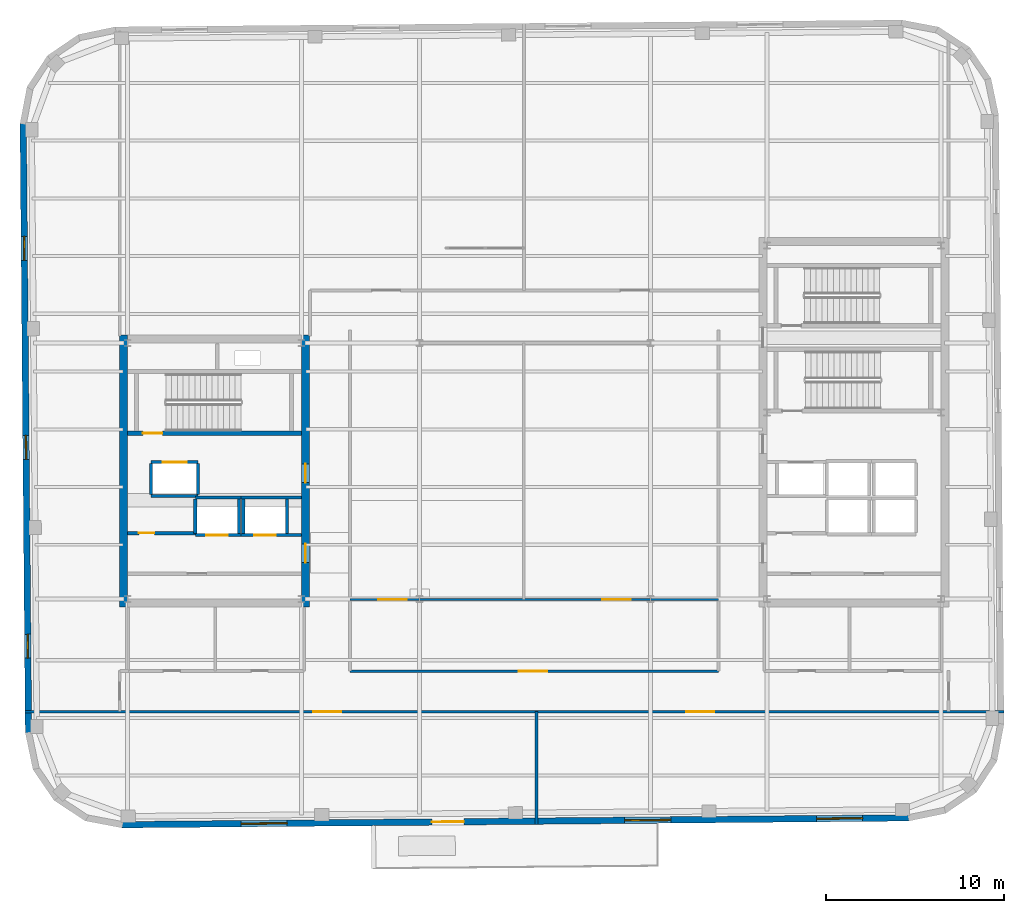
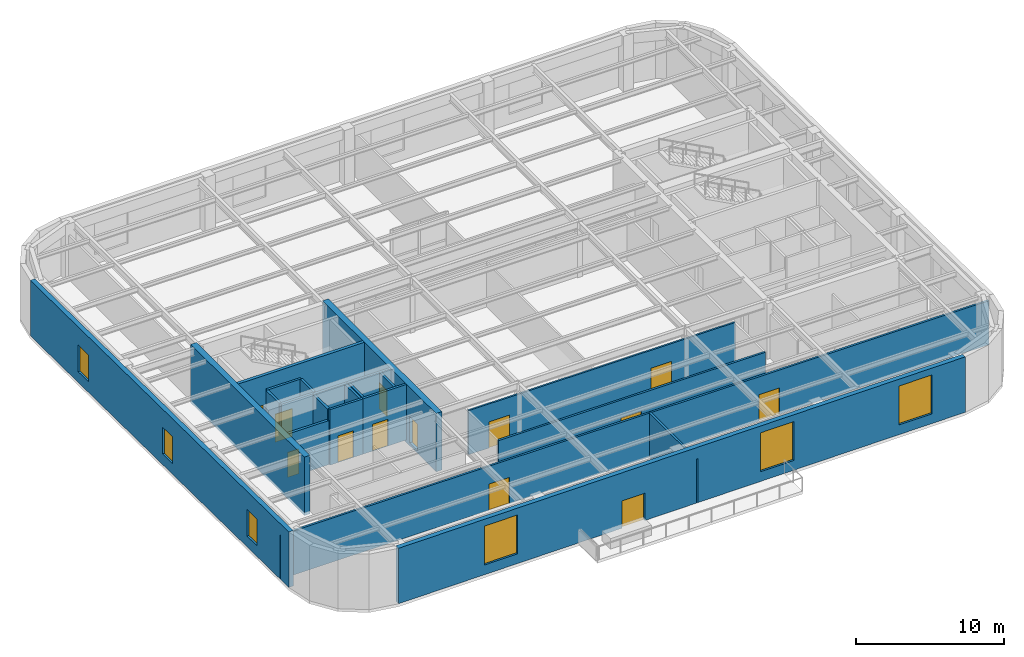
# One storey, part 8 of 13: 22 walls, 13 doors, 6 windows, 19 openings.
"""IFC4 building model written with IfcOpenShell, lengths in metres."""

from ifc_helpers import new_model, si_unit, direction, frame, frame_2d, origin, place, context, subcontext, project, spatial, rectangle, extrude, material, layer, layer_set, type_object, element, fill, save


model = new_model("IFC4")

# Units and contexts
model_context = context("Model", 3, precision=1e-05, world=origin(), true_north=direction((0.0, 1.0)))
body_context = subcontext(model_context, "Body", "Model", "MODEL_VIEW")
ifc_project = project(units=[si_unit("LENGTHUNIT", "METRE"), si_unit("AREAUNIT", "SQUARE_METRE"), si_unit("VOLUMEUNIT", "CUBIC_METRE"), si_unit("PLANEANGLEUNIT", "RADIAN"), si_unit("MASSUNIT", "GRAM", prefix="KILO")], contexts=[model_context])

# Site, building, storey
site_placement = place(None, origin())
site = spatial("IfcSite", under=ifc_project, at=site_placement, CompositionType="ELEMENT")
building_placement = place(site_placement, origin())
building = spatial("IfcBuilding", under=site, at=building_placement, Name="Kolvaren Arena Tower", CompositionType="ELEMENT")
storey_placement = place(building_placement, frame((0.0, 0.0, 312.39990234375)))
storey = spatial("IfcBuildingStorey", under=building, at=storey_placement, Name="L77", CompositionType="ELEMENT", Elevation=312.39990234375)

# Wall, opening, door
ifc_material_1 = material(Name="Gypsum board acoustic assembly", Category="gypsum")
ifc_layer_1 = layer(ifc_material_1, 0.159912109375)
ifc_layer_set_1 = layer_set([ifc_layer_1], Name="Gypsum board acoustic assembly")
wall_type_1 = type_object("IfcWallType", Name="CORR-160", PredefinedType="PARTITIONING", material=ifc_layer_set_1)
wall_1_placement = place(storey_placement, frame((27.080078125, 15.3798828125, 0.0), z_axis=(0.0, 0.0, 1.0), x_axis=(1.0, 0.0, 0.0)))
wall_1 = element("IfcWall", 1, at=wall_1_placement, inside=storey, type_object=wall_type_1, Name="Interior Partition Wall (L77)", PredefinedType="PARTITIONING", context=body_context, shape_type="SweptSolid", body=[
    extrude(rectangle(XDim=20.739990234375, YDim=0.159912109375, at=frame_2d((10.3701171875, 0.0))), origin(), (0.0, 0.0, 1.0), 3.6201171875),
])
opening_1_placement = place(wall_1_placement, frame((9.5, 0.0, 0.0)))
opening_1 = element("IfcOpeningElement", 2, at=opening_1_placement, cuts=wall_1, Name="Opening D06", PredefinedType="OPENING", context=body_context, shape_type="SweptSolid", body=[
    extrude(rectangle(XDim=1.60009765625, YDim=2.14990234375, at=frame_2d((0.800048828125, 1.074951171875))), frame((0.0, 0.08984375, 0.0), z_axis=(0.0, -1.0, 0.0), x_axis=(1.0, 0.0, 0.0)), (0.0, 0.0, 1.0), 0.179931640625),
])
ifc_material_2 = material(Name="Glazed acoustic boardroom double door", Category="aluminium")
door_type_1 = type_object("IfcDoorType", Name="DOOR-MT-160", OperationType="DOUBLE_DOOR_SINGLE_SWING", PredefinedType="DOOR", material=ifc_material_2)
door_1_placement = place(opening_1_placement, origin())
door_1 = element("IfcDoor", 3, at=door_1_placement, inside=storey, type_object=door_type_1, Name="South Viewing Lounge Door (L77)", OperationType="DOUBLE_DOOR_SINGLE_SWING", OverallHeight=2.14990234375, OverallWidth=1.60009765625, PredefinedType="DOOR", context=body_context, shape_type="SweptSolid", body=[
    extrude(rectangle(XDim=1.60009765625, YDim=2.14990234375, at=frame_2d((0.800048828125, 1.074951171875))), frame((0.0, 0.02490234375, 0.0), z_axis=(0.0, -1.0, 0.0), x_axis=(1.0, 0.0, 0.0)), (0.0, 0.0, 1.0), 0.050048828125),
])
fill(opening_1, door_1)

# Wall, openings, doors
wall_2_placement = place(storey_placement, frame((8.790283203125, 13.10009765625, 0.0), z_axis=(0.0, 0.0, 1.0), x_axis=(1.0, 0.0, 0.0)))
wall_2 = element("IfcWall", 4, at=wall_2_placement, inside=storey, type_object=wall_type_1, Name="Interior Partition Wall (L77)", PredefinedType="PARTITIONING", context=body_context, shape_type="SweptSolid", body=[
    extrude(rectangle(XDim=55.10205078125, YDim=0.159912109375, at=frame_2d((27.551025390625, 0.0))), origin(), (0.0, 0.0, 1.0), 3.6201171875),
])
opening_2_placement = place(wall_2_placement, frame((16.209716796875, 0.0, 0.0)))
opening_2 = element("IfcOpeningElement", 5, at=opening_2_placement, cuts=wall_2, Name="Opening D06", PredefinedType="OPENING", context=body_context, shape_type="SweptSolid", body=[
    extrude(rectangle(XDim=1.60009765625, YDim=2.14990234375, at=frame_2d((0.800048828125, 1.074951171875))), frame((0.0, 0.08984375, 0.0), z_axis=(0.0, -1.0, 0.0), x_axis=(1.0, 0.0, 0.0)), (0.0, 0.0, 1.0), 0.179931640625),
])
opening_3_placement = place(wall_2_placement, frame((37.209716796875, 0.0, 0.0)))
opening_3 = element("IfcOpeningElement", 6, at=opening_3_placement, cuts=wall_2, Name="Opening D06", PredefinedType="OPENING", context=body_context, shape_type="SweptSolid", body=[
    extrude(rectangle(XDim=1.60009765625, YDim=2.14990234375, at=frame_2d((0.800048828125, 1.074951171875))), frame((0.0, 0.08984375, 0.0), z_axis=(0.0, -1.0, 0.0), x_axis=(1.0, 0.0, 0.0)), (0.0, 0.0, 1.0), 0.179931640625),
])
door_2_placement = place(opening_2_placement, origin())
door_2 = element("IfcDoor", 7, at=door_2_placement, inside=storey, type_object=door_type_1, Name="South Salon Door (L77)", OperationType="DOUBLE_DOOR_SINGLE_SWING", OverallHeight=2.14990234375, OverallWidth=1.60009765625, PredefinedType="DOOR", context=body_context, shape_type="SweptSolid", body=[
    extrude(rectangle(XDim=1.60009765625, YDim=2.14990234375, at=frame_2d((0.800048828125, 1.074951171875))), frame((0.0, 0.02490234375, 0.0), z_axis=(0.0, -1.0, 0.0), x_axis=(1.0, 0.0, 0.0)), (0.0, 0.0, 1.0), 0.050048828125),
])
fill(opening_2, door_2)
door_3_placement = place(opening_3_placement, origin())
door_3 = element("IfcDoor", 8, at=door_3_placement, inside=storey, type_object=door_type_1, Name="Horizon Salon Door (L77)", OperationType="DOUBLE_DOOR_SINGLE_SWING", OverallHeight=2.14990234375, OverallWidth=1.60009765625, PredefinedType="DOOR", context=body_context, shape_type="SweptSolid", body=[
    extrude(rectangle(XDim=1.60009765625, YDim=2.14990234375, at=frame_2d((0.800048828125, 1.074951171875))), frame((0.0, 0.02490234375, 0.0), z_axis=(0.0, -1.0, 0.0), x_axis=(1.0, 0.0, 0.0)), (0.0, 0.0, 1.0), 0.050048828125),
])
fill(opening_3, door_3)

# Walls
wall_3_placement = place(storey_placement, frame((37.570068359375, 6.760986328125, 0.0), z_axis=(0.0, 0.0, 1.0), x_axis=(0.0, 1.0, 0.0)))
element("IfcWall", 9, at=wall_3_placement, inside=storey, type_object=wall_type_1, Name="Interior Partition Wall (L77)", PredefinedType="PARTITIONING", context=body_context, shape_type="SweptSolid", body=[
    extrude(rectangle(XDim=6.339111328125, YDim=0.159912109375, at=frame_2d((3.16943359375, 0.0))), origin(), (0.0, 0.0, 1.0), 3.6201171875),
])
ifc_material_3 = material(Name="Concrete 55 MPa", Category="concrete")
ifc_layer_2 = layer(ifc_material_3, 0.449951171875)
ifc_layer_set_2 = layer_set([ifc_layer_2], Name="Concrete 55 MPa")
wall_type_2 = type_object("IfcWallType", Name="CWALL-450", PredefinedType="SHEAR", material=ifc_layer_set_2)
wall_4_placement = place(storey_placement, frame((14.324951171875, 19.0, -0.239990234375), z_axis=(0.0, 0.0, 1.0), x_axis=(0.0, 1.0, 0.0)))
element("IfcWall", 10, at=wall_4_placement, inside=storey, type_object=wall_type_2, Name="Core Shear Wall WC-WEST (L77)", PredefinedType="SHEAR", context=body_context, shape_type="SweptSolid", body=[
    extrude(rectangle(XDim=15.300048828125, YDim=0.449951171875, at=frame_2d((7.64990234375, 0.0))), origin(), (0.0, 0.0, 1.0), 4.800048828125),
])

# Wall, openings, doors
wall_5_placement = place(storey_placement, frame((24.574951171875, 19.0, -0.239990234375), z_axis=(0.0, 0.0, 1.0), x_axis=(0.0, 1.0, 0.0)))
wall_5 = element("IfcWall", 11, at=wall_5_placement, inside=storey, type_object=wall_type_2, Name="Core Shear Wall WC-EAST (L77)", PredefinedType="SHEAR", context=body_context, shape_type="SweptSolid", body=[
    extrude(rectangle(XDim=15.300048828125, YDim=0.449951171875, at=frame_2d((7.64990234375, 0.0))), origin(), (0.0, 0.0, 1.0), 4.800048828125),
])
opening_4_placement = place(wall_5_placement, frame((2.5, 0.0, 0.239990234375)))
opening_4 = element("IfcOpeningElement", 12, at=opening_4_placement, cuts=wall_5, Name="Opening D04", PredefinedType="OPENING", context=body_context, shape_type="SweptSolid", body=[
    extrude(rectangle(XDim=1.050048828125, YDim=2.14990234375, at=frame_2d((0.52490234375, 1.074951171875))), frame((0.0, 0.23486328125, 0.0), z_axis=(0.0, -1.0, 0.0), x_axis=(1.0, 0.0, 0.0)), (0.0, 0.0, 1.0), 0.469970703125),
])
opening_5_placement = place(wall_5_placement, frame((7.0, 0.0, 0.239990234375)))
opening_5 = element("IfcOpeningElement", 13, at=opening_5_placement, cuts=wall_5, Name="Opening D04", PredefinedType="OPENING", context=body_context, shape_type="SweptSolid", body=[
    extrude(rectangle(XDim=1.050048828125, YDim=2.14990234375, at=frame_2d((0.52490234375, 1.074951171875))), frame((0.0, 0.23486328125, 0.0), z_axis=(0.0, -1.0, 0.0), x_axis=(1.0, 0.0, 0.0)), (0.0, 0.0, 1.0), 0.469970703125),
])
ifc_material_4 = material(Name="Fire-rated steel lobby door", Category="steel")
door_type_2 = type_object("IfcDoorType", Name="DOOR-FF-105", OperationType="NOTDEFINED", PredefinedType="DOOR", material=ifc_material_4)
door_4_placement = place(opening_4_placement, origin())
door_4 = element("IfcDoor", 14, at=door_4_placement, inside=storey, type_object=door_type_2, Name="West Lift Lobby Fire Door (L77)", OperationType="SINGLE_SWING_LEFT", OverallHeight=2.14990234375, OverallWidth=1.050048828125, PredefinedType="DOOR", context=body_context, shape_type="SweptSolid", body=[
    extrude(rectangle(XDim=1.050048828125, YDim=2.14990234375, at=frame_2d((0.52490234375, 1.074951171875))), frame((0.0, 0.02490234375, 0.0), z_axis=(0.0, -1.0, 0.0), x_axis=(1.0, 0.0, 0.0)), (0.0, 0.0, 1.0), 0.050048828125),
])
fill(opening_4, door_4)
door_5_placement = place(opening_5_placement, origin())
door_5 = element("IfcDoor", 15, at=door_5_placement, inside=storey, type_object=door_type_2, Name="West Firefighter Vestibule Door (L77)", OperationType="SINGLE_SWING_RIGHT", OverallHeight=2.14990234375, OverallWidth=1.050048828125, PredefinedType="DOOR", context=body_context, shape_type="SweptSolid", body=[
    extrude(rectangle(XDim=1.050048828125, YDim=2.14990234375, at=frame_2d((0.52490234375, 1.074951171875))), frame((0.0, 0.02490234375, 0.0), z_axis=(0.0, -1.0, 0.0), x_axis=(1.0, 0.0, 0.0)), (0.0, 0.0, 1.0), 0.050048828125),
])
fill(opening_5, door_5)

# Wall, openings, windows
ifc_material_5 = material(Name="Precast concrete C50/60", Category="concrete")
ifc_layer_3 = layer(ifc_material_5, 0.360107421875)
ifc_layer_set_3 = layer_set([ifc_layer_3], Name="Precast concrete C50/60")
wall_type_3 = type_object("IfcWallType", Name="EXT-PIER2", PredefinedType="SOLIDWALL", material=ifc_layer_set_3)
wall_6_placement = place(storey_placement, frame((8.980712890625, 11.911865234375, 0.0), z_axis=(0.0, 0.0, 1.0), x_axis=(-0.008726453825, 0.999961923777, 0.0)))
wall_6 = element("IfcWall", 16, at=wall_6_placement, inside=storey, type_object=wall_type_3, Name="Exterior Precast Masonry-Frame Wall (L77)", PredefinedType="SOLIDWALL", context=body_context, shape_type="SweptSolid", body=[
    extrude(rectangle(XDim=34.2998046875, YDim=0.360107421875, at=frame_2d((17.14990234375, 0.0))), origin(), (0.0, 0.0, 1.0), 4.56005859375),
])
opening_6_placement = place(wall_6_placement, frame((4.199951171875, 0.0, 0.8798828125)))
opening_6 = element("IfcOpeningElement", 17, at=opening_6_placement, cuts=wall_6, Name="Opening W04", PredefinedType="OPENING", context=body_context, shape_type="SweptSolid", body=[
    extrude(rectangle(XDim=1.35009765625, YDim=2.199951171875, at=frame_2d((0.675048828125, 1.10009765625))), frame((0.0, 0.18994140625, 0.0), z_axis=(0.0, -1.0, 0.0), x_axis=(1.0, 0.0, 0.0)), (0.0, 0.0, 1.0), 0.380126953125),
])
opening_7_placement = place(wall_6_placement, frame((15.39990234375, 0.0, 0.8798828125)))
opening_7 = element("IfcOpeningElement", 18, at=opening_7_placement, cuts=wall_6, Name="Opening W04", PredefinedType="OPENING", context=body_context, shape_type="SweptSolid", body=[
    extrude(rectangle(XDim=1.35009765625, YDim=2.199951171875, at=frame_2d((0.675048828125, 1.10009765625))), frame((0.0, 0.18994140625, 0.0), z_axis=(0.0, -1.0, 0.0), x_axis=(1.0, 0.0, 0.0)), (0.0, 0.0, 1.0), 0.380126953125),
])
opening_8_placement = place(wall_6_placement, frame((26.60009765625, 0.0, 0.8798828125)))
opening_8 = element("IfcOpeningElement", 19, at=opening_8_placement, cuts=wall_6, Name="Opening W04", PredefinedType="OPENING", context=body_context, shape_type="SweptSolid", body=[
    extrude(rectangle(XDim=1.35009765625, YDim=2.199951171875, at=frame_2d((0.675048828125, 1.10009765625))), frame((0.0, 0.18994140625, 0.0), z_axis=(0.0, -1.0, 0.0), x_axis=(1.0, 0.0, 0.0)), (0.0, 0.0, 1.0), 0.380126953125),
])
ifc_material_6 = material(Name="Triple-glazed curved-facet corner window", Category="glass")
window_type_1 = type_object("IfcWindowType", Name="WIN-CRN-A", PartitioningType="SINGLE_PANEL", PredefinedType="WINDOW", material=ifc_material_6)
window_1_placement = place(opening_6_placement, origin())
window_1 = element("IfcWindow", 20, at=window_1_placement, inside=storey, type_object=window_type_1, Name="End-Wall Punched Window (L77)", OverallHeight=2.199951171875, OverallWidth=1.35009765625, PartitioningType="SINGLE_PANEL", PredefinedType="WINDOW", context=body_context, shape_type="SweptSolid", body=[
    extrude(rectangle(XDim=1.35009765625, YDim=2.199951171875, at=frame_2d((0.675048828125, 1.10009765625))), frame((0.0, 0.030029296875, 0.0), z_axis=(0.0, -1.0, 0.0), x_axis=(1.0, 0.0, 0.0)), (0.0, 0.0, 1.0), 0.06005859375),
])
fill(opening_6, window_1)
window_2_placement = place(opening_7_placement, origin())
window_2 = element("IfcWindow", 21, at=window_2_placement, inside=storey, type_object=window_type_1, Name="End-Wall Punched Window (L77)", OverallHeight=2.199951171875, OverallWidth=1.35009765625, PartitioningType="SINGLE_PANEL", PredefinedType="WINDOW", context=body_context, shape_type="SweptSolid", body=[
    extrude(rectangle(XDim=1.35009765625, YDim=2.199951171875, at=frame_2d((0.675048828125, 1.10009765625))), frame((0.0, 0.030029296875, 0.0), z_axis=(0.0, -1.0, 0.0), x_axis=(1.0, 0.0, 0.0)), (0.0, 0.0, 1.0), 0.06005859375),
])
fill(opening_7, window_2)
window_3_placement = place(opening_8_placement, origin())
window_3 = element("IfcWindow", 22, at=window_3_placement, inside=storey, type_object=window_type_1, Name="End-Wall Punched Window (L77)", OverallHeight=2.199951171875, OverallWidth=1.35009765625, PartitioningType="SINGLE_PANEL", PredefinedType="WINDOW", context=body_context, shape_type="SweptSolid", body=[
    extrude(rectangle(XDim=1.35009765625, YDim=2.199951171875, at=frame_2d((0.675048828125, 1.10009765625))), frame((0.0, 0.030029296875, 0.0), z_axis=(0.0, -1.0, 0.0), x_axis=(1.0, 0.0, 0.0)), (0.0, 0.0, 1.0), 0.06005859375),
])
fill(opening_8, window_3)

# Wall, openings, door, windows
wall_7_placement = place(storey_placement, frame((58.544189453125, 7.124267578125, 0.0), z_axis=(0.0, 0.0, 1.0), x_axis=(-0.999961896442, -0.008729585516, 0.0)))
wall_7 = element("IfcWall", 23, at=wall_7_placement, inside=storey, type_object=wall_type_3, Name="Exterior Precast Masonry-Frame Wall (L77)", PredefinedType="SOLIDWALL", context=body_context, shape_type="SweptSolid", body=[
    extrude(rectangle(XDim=44.2998046875, YDim=0.360107421875, at=frame_2d((22.14990234375, 0.0))), origin(), (0.0, 0.0, 1.0), 4.56005859375),
])
opening_9_placement = place(wall_7_placement, frame((25.050048828125, 0.0, 0.0)))
opening_9 = element("IfcOpeningElement", 24, at=opening_9_placement, cuts=wall_7, Name="Opening D10", PredefinedType="OPENING", context=body_context, shape_type="SweptSolid", body=[
    extrude(rectangle(XDim=1.800048828125, YDim=2.25, at=frame_2d((0.89990234375, 1.125))), frame((0.0, 0.18994140625, 0.0), z_axis=(0.0, -1.0, 0.0), x_axis=(1.0, 0.0, 0.0)), (0.0, 0.0, 1.0), 0.380126953125),
])
opening_10_placement = place(wall_7_placement, frame((2.60009765625, 0.0, 0.800048828125)))
opening_10 = element("IfcOpeningElement", 25, at=opening_10_placement, cuts=wall_7, Name="Opening W06", PredefinedType="OPENING", context=body_context, shape_type="SweptSolid", body=[
    extrude(rectangle(XDim=2.60009765625, YDim=3.199951171875, at=frame_2d((1.300048828125, 1.60009765625))), frame((0.0, 0.18994140625, 0.0), z_axis=(0.0, -1.0, 0.0), x_axis=(1.0, 0.0, 0.0)), (0.0, 0.0, 1.0), 0.380126953125),
])
opening_11_placement = place(wall_7_placement, frame((13.39990234375, 0.0, 0.800048828125)))
opening_11 = element("IfcOpeningElement", 26, at=opening_11_placement, cuts=wall_7, Name="Opening W06", PredefinedType="OPENING", context=body_context, shape_type="SweptSolid", body=[
    extrude(rectangle(XDim=2.60009765625, YDim=3.199951171875, at=frame_2d((1.300048828125, 1.60009765625))), frame((0.0, 0.18994140625, 0.0), z_axis=(0.0, -1.0, 0.0), x_axis=(1.0, 0.0, 0.0)), (0.0, 0.0, 1.0), 0.380126953125),
])
opening_12_placement = place(wall_7_placement, frame((35.0, 0.0, 0.800048828125)))
opening_12 = element("IfcOpeningElement", 27, at=opening_12_placement, cuts=wall_7, Name="Opening W06", PredefinedType="OPENING", context=body_context, shape_type="SweptSolid", body=[
    extrude(rectangle(XDim=2.60009765625, YDim=3.199951171875, at=frame_2d((1.300048828125, 1.60009765625))), frame((0.0, 0.18994140625, 0.0), z_axis=(0.0, -1.0, 0.0), x_axis=(1.0, 0.0, 0.0)), (0.0, 0.0, 1.0), 0.380126953125),
])
ifc_material_7 = material(Name="Thermally broken glazed terrace door", Category="aluminium")
door_type_3 = type_object("IfcDoorType", Name="DOOR-TR-180", OperationType="DOUBLE_DOOR_SINGLE_SWING", PredefinedType="DOOR", material=ifc_material_7)
door_6_placement = place(opening_9_placement, origin())
door_6 = element("IfcDoor", 28, at=door_6_placement, inside=storey, type_object=door_type_3, Name="Setback Roof Terrace Access Door (L77)", OperationType="DOUBLE_DOOR_SINGLE_SWING", OverallHeight=2.25, OverallWidth=1.800048828125, PredefinedType="DOOR", context=body_context, shape_type="SweptSolid", body=[
    extrude(rectangle(XDim=1.800048828125, YDim=2.25, at=frame_2d((0.89990234375, 1.125))), frame((0.0, 0.02490234375, 0.0), z_axis=(0.0, -1.0, 0.0), x_axis=(1.0, 0.0, 0.0)), (0.0, 0.0, 1.0), 0.050048828125),
])
fill(opening_9, door_6)
ifc_material_8 = material(Name="Triple-glazed observatory picture window", Category="glass")
window_type_2 = type_object("IfcWindowType", Name="WIN-OBS-A", PartitioningType="DOUBLE_PANEL_VERTICAL", PredefinedType="WINDOW", material=ifc_material_8)
window_4_placement = place(opening_10_placement, origin())
window_4 = element("IfcWindow", 29, at=window_4_placement, inside=storey, type_object=window_type_2, Name="Punched Precast-Pier Window (L77)", OverallHeight=3.199951171875, OverallWidth=2.60009765625, PartitioningType="DOUBLE_PANEL_VERTICAL", PredefinedType="WINDOW", context=body_context, shape_type="SweptSolid", body=[
    extrude(rectangle(XDim=2.60009765625, YDim=3.199951171875, at=frame_2d((1.300048828125, 1.60009765625))), frame((0.0, 0.030029296875, 0.0), z_axis=(0.0, -1.0, 0.0), x_axis=(1.0, 0.0, 0.0)), (0.0, 0.0, 1.0), 0.06005859375),
])
fill(opening_10, window_4)
window_5_placement = place(opening_11_placement, origin())
window_5 = element("IfcWindow", 30, at=window_5_placement, inside=storey, type_object=window_type_2, Name="Punched Precast-Pier Window (L77)", OverallHeight=3.199951171875, OverallWidth=2.60009765625, PartitioningType="DOUBLE_PANEL_VERTICAL", PredefinedType="WINDOW", context=body_context, shape_type="SweptSolid", body=[
    extrude(rectangle(XDim=2.60009765625, YDim=3.199951171875, at=frame_2d((1.300048828125, 1.60009765625))), frame((0.0, 0.030029296875, 0.0), z_axis=(0.0, -1.0, 0.0), x_axis=(1.0, 0.0, 0.0)), (0.0, 0.0, 1.0), 0.06005859375),
])
fill(opening_11, window_5)
window_6_placement = place(opening_12_placement, origin())
window_6 = element("IfcWindow", 31, at=window_6_placement, inside=storey, type_object=window_type_2, Name="Punched Precast-Pier Window (L77)", OverallHeight=3.199951171875, OverallWidth=2.60009765625, PartitioningType="DOUBLE_PANEL_VERTICAL", PredefinedType="WINDOW", context=body_context, shape_type="SweptSolid", body=[
    extrude(rectangle(XDim=2.60009765625, YDim=3.199951171875, at=frame_2d((1.300048828125, 1.60009765625))), frame((0.0, 0.030029296875, 0.0), z_axis=(0.0, -1.0, 0.0), x_axis=(1.0, 0.0, 0.0)), (0.0, 0.0, 1.0), 0.06005859375),
])
fill(opening_12, window_6)

# Wall, opening, door
ifc_material_9 = material(Name="Concrete 40 MPa", Category="concrete")
ifc_layer_4 = layer(ifc_material_9, 0.199951171875)
ifc_layer_set_4 = layer_set([ifc_layer_4], Name="Concrete 40 MPa")
wall_type_4 = type_object("IfcWallType", Name="LOBBY-200", PredefinedType="SOLIDWALL", material=ifc_layer_set_4)
wall_8_placement = place(storey_placement, frame((14.550048828125, 23.159912109375, 0.0), z_axis=(0.0, 0.0, 1.0), x_axis=(1.0, 0.0, 0.0)))
wall_8 = element("IfcWall", 32, at=wall_8_placement, inside=storey, type_object=wall_type_4, Name="Core Shaft Wall (L77)", PredefinedType="SOLIDWALL", context=body_context, shape_type="SweptSolid", body=[
    extrude(rectangle(XDim=3.820068359375, YDim=0.199951171875, at=frame_2d((1.91015625, 0.0))), origin(), (0.0, 0.0, 1.0), 3.6201171875),
])
opening_13_placement = place(wall_8_placement, frame((0.64990234375, 0.0, 0.0)))
opening_13 = element("IfcOpeningElement", 33, at=opening_13_placement, cuts=wall_8, Name="Opening D09", PredefinedType="OPENING", context=body_context, shape_type="SweptSolid", body=[
    extrude(rectangle(XDim=0.860107421875, YDim=2.050048828125, at=frame_2d((0.43017578125, 1.02490234375))), frame((0.0, 0.10986328125, 0.0), z_axis=(0.0, -1.0, 0.0), x_axis=(1.0, 0.0, 0.0)), (0.0, 0.0, 1.0), 0.219970703125),
])
ifc_material_10 = material(Name="Fire-rated steel riser access door", Category="steel")
door_type_4 = type_object("IfcDoorType", Name="DOOR-RS-086", OperationType="NOTDEFINED", PredefinedType="DOOR", material=ifc_material_10)
door_7_placement = place(opening_13_placement, origin())
door_7 = element("IfcDoor", 34, at=door_7_placement, inside=storey, type_object=door_type_4, Name="West Document Archive Riser Door (L77)", OperationType="SINGLE_SWING_RIGHT", OverallHeight=2.050048828125, OverallWidth=0.860107421875, PredefinedType="DOOR", context=body_context, shape_type="SweptSolid", body=[
    extrude(rectangle(XDim=0.860107421875, YDim=2.050048828125, at=frame_2d((0.43017578125, 1.02490234375))), frame((0.0, 0.02490234375, 0.0), z_axis=(0.0, -1.0, 0.0), x_axis=(1.0, 0.0, 0.0)), (0.0, 0.0, 1.0), 0.050048828125),
])
fill(opening_13, door_7)

# Wall, openings, doors
ifc_material_11 = material(Name="Gypsum board partition assembly", Category="gypsum")
ifc_layer_5 = layer(ifc_material_11, 0.135009765625)
ifc_layer_set_5 = layer_set([ifc_layer_5], Name="Gypsum board partition assembly")
wall_type_5 = type_object("IfcWallType", Name="PART-135", PredefinedType="PARTITIONING", material=ifc_layer_set_5)
wall_9_placement = place(storey_placement, frame((27.080078125, 19.419921875, 0.0), z_axis=(0.0, 0.0, 1.0), x_axis=(1.0, 0.0, 0.0)))
wall_9 = element("IfcWall", 35, at=wall_9_placement, inside=storey, type_object=wall_type_5, Name="Interior Partition Wall (L77)", PredefinedType="PARTITIONING", context=body_context, shape_type="SweptSolid", body=[
    extrude(rectangle(XDim=20.739990234375, YDim=0.135009765625, at=frame_2d((10.3701171875, 0.0))), origin(), (0.0, 0.0, 1.0), 3.6201171875),
])
opening_14_placement = place(wall_9_placement, frame((1.60009765625, 0.0, 0.0)))
opening_14 = element("IfcOpeningElement", 36, at=opening_14_placement, cuts=wall_9, Name="Opening D06", PredefinedType="OPENING", context=body_context, shape_type="SweptSolid", body=[
    extrude(rectangle(XDim=1.60009765625, YDim=2.14990234375, at=frame_2d((0.800048828125, 1.074951171875))), frame((0.0, 0.077392578125, 0.0), z_axis=(0.0, -1.0, 0.0), x_axis=(1.0, 0.0, 0.0)), (0.0, 0.0, 1.0), 0.155029296875),
])
opening_15_placement = place(wall_9_placement, frame((14.199951171875, 0.0, 0.0)))
opening_15 = element("IfcOpeningElement", 37, at=opening_15_placement, cuts=wall_9, Name="Opening D06", PredefinedType="OPENING", context=body_context, shape_type="SweptSolid", body=[
    extrude(rectangle(XDim=1.60009765625, YDim=2.14990234375, at=frame_2d((0.800048828125, 1.074951171875))), frame((0.0, 0.077392578125, 0.0), z_axis=(0.0, -1.0, 0.0), x_axis=(1.0, 0.0, 0.0)), (0.0, 0.0, 1.0), 0.155029296875),
])
door_8_placement = place(opening_14_placement, origin())
door_8 = element("IfcDoor", 38, at=door_8_placement, inside=storey, type_object=door_type_1, Name="Central Hall West Door (L77)", OperationType="DOUBLE_DOOR_SINGLE_SWING", OverallHeight=2.14990234375, OverallWidth=1.60009765625, PredefinedType="DOOR", context=body_context, shape_type="SweptSolid", body=[
    extrude(rectangle(XDim=1.60009765625, YDim=2.14990234375, at=frame_2d((0.800048828125, 1.074951171875))), frame((0.0, 0.02490234375, 0.0), z_axis=(0.0, -1.0, 0.0), x_axis=(1.0, 0.0, 0.0)), (0.0, 0.0, 1.0), 0.050048828125),
])
fill(opening_14, door_8)
door_9_placement = place(opening_15_placement, origin())
door_9 = element("IfcDoor", 39, at=door_9_placement, inside=storey, type_object=door_type_1, Name="Central Hall East Door (L77)", OperationType="DOUBLE_DOOR_SINGLE_SWING", OverallHeight=2.14990234375, OverallWidth=1.60009765625, PredefinedType="DOOR", context=body_context, shape_type="SweptSolid", body=[
    extrude(rectangle(XDim=1.60009765625, YDim=2.14990234375, at=frame_2d((0.800048828125, 1.074951171875))), frame((0.0, 0.02490234375, 0.0), z_axis=(0.0, -1.0, 0.0), x_axis=(1.0, 0.0, 0.0)), (0.0, 0.0, 1.0), 0.050048828125),
])
fill(opening_15, door_9)

# Wall, opening, door
ifc_material_12 = material(Name="Concrete 45 MPa", Category="concrete")
ifc_layer_6 = layer(ifc_material_12, 0.25)
ifc_layer_set_6 = layer_set([ifc_layer_6], Name="Concrete 45 MPa")
wall_type_6 = type_object("IfcWallType", Name="SHAFT-250", PredefinedType="SOLIDWALL", material=ifc_layer_set_6)
wall_10_placement = place(storey_placement, frame((24.35009765625, 28.780029296875, 0.0), z_axis=(0.0, 0.0, 1.0), x_axis=(-1.0, 0.0, 0.0)))
wall_10 = element("IfcWall", 40, at=wall_10_placement, inside=storey, type_object=wall_type_6, Name="Core Shaft Wall (L77)", PredefinedType="SOLIDWALL", context=body_context, shape_type="SweptSolid", body=[
    extrude(rectangle(XDim=9.800048828125, YDim=0.239990234375, at=frame_2d((4.89990234375, 0.0))), origin(), (0.0, 0.0, 1.0), 4.56005859375),
])
opening_16_placement = place(wall_10_placement, frame((7.830078125, 0.0, 0.0)))
opening_16 = element("IfcOpeningElement", 41, at=opening_16_placement, cuts=wall_10, Name="Opening D03", PredefinedType="OPENING", context=body_context, shape_type="SweptSolid", body=[
    extrude(rectangle(XDim=1.10009765625, YDim=2.14990234375, at=frame_2d((0.550048828125, 1.074951171875))), frame((0.0, 0.1298828125, 0.0), z_axis=(0.0, -1.0, 0.0), x_axis=(1.0, 0.0, 0.0)), (0.0, 0.0, 1.0), 0.260009765625),
])
ifc_material_13 = material(Name="Fire-rated steel exit stair door", Category="steel")
door_type_5 = type_object("IfcDoorType", Name="DOOR-ST-110", OperationType="NOTDEFINED", PredefinedType="DOOR", material=ifc_material_13)
door_10_placement = place(opening_16_placement, origin())
door_10 = element("IfcDoor", 42, at=door_10_placement, inside=storey, type_object=door_type_5, Name="Stair ST-W1 Fire Door (L77)", OperationType="SINGLE_SWING_RIGHT", OverallHeight=2.14990234375, OverallWidth=1.10009765625, PredefinedType="DOOR", context=body_context, shape_type="SweptSolid", body=[
    extrude(rectangle(XDim=1.10009765625, YDim=2.14990234375, at=frame_2d((0.550048828125, 1.074951171875))), frame((0.0, 0.02490234375, 0.0), z_axis=(0.0, -1.0, 0.0), x_axis=(1.0, 0.0, 0.0)), (0.0, 0.0, 1.0), 0.050048828125),
])
fill(opening_16, door_10)

# Wall
wall_11_placement = place(storey_placement, frame((18.3701171875, 25.155029296875, 0.0), z_axis=(0.0, 0.0, 1.0), x_axis=(1.0, 0.0, 0.0)))
element("IfcWall", 43, at=wall_11_placement, inside=storey, type_object=wall_type_6, Name="Core Shaft Wall (L77)", PredefinedType="SOLIDWALL", context=body_context, shape_type="SweptSolid", body=[
    extrude(rectangle(XDim=2.579833984375, YDim=0.179931640625, at=frame_2d((1.2900390625, 0.0))), origin(), (0.0, 0.0, 1.0), 4.56005859375),
])

# Wall, opening, door
wall_12_placement = place(storey_placement, frame((18.3701171875, 23.044921875, 0.0), z_axis=(0.0, 0.0, 1.0), x_axis=(1.0, 0.0, 0.0)))
wall_12 = element("IfcWall", 44, at=wall_12_placement, inside=storey, type_object=wall_type_6, Name="Core Shaft Wall (L77)", PredefinedType="SOLIDWALL", context=body_context, shape_type="SweptSolid", body=[
    extrude(rectangle(XDim=2.579833984375, YDim=0.179931640625, at=frame_2d((1.2900390625, 0.0))), origin(), (0.0, 0.0, 1.0), 4.56005859375),
])
opening_17_placement = place(wall_12_placement, frame((0.6298828125, 0.0, 0.0)))
opening_17 = element("IfcOpeningElement", 45, at=opening_17_placement, cuts=wall_12, Name="Opening LD1", PredefinedType="OPENING", context=body_context, shape_type="SweptSolid", body=[
    extrude(rectangle(XDim=1.199951171875, YDim=2.199951171875, at=frame_2d((0.60009765625, 1.10009765625))), frame((0.0, 0.099853515625, 0.0), z_axis=(0.0, -1.0, 0.0), x_axis=(1.0, 0.0, 0.0)), (0.0, 0.0, 1.0), 0.199951171875),
])
ifc_material_14 = material(Name="Stainless steel passenger lift landing door", Category="steel")
door_type_6 = type_object("IfcDoorType", Name="DOOR-LD-120", OperationType="DOUBLE_DOOR_SLIDING", PredefinedType="DOOR", material=ifc_material_14)
door_11_placement = place(opening_17_placement, origin())
door_11 = element("IfcDoor", 46, at=door_11_placement, inside=storey, type_object=door_type_6, Name="Lift EL-OB1 Landing Door (L77)", OperationType="DOUBLE_DOOR_SLIDING", OverallHeight=2.199951171875, OverallWidth=1.199951171875, PredefinedType="DOOR", context=body_context, shape_type="SweptSolid", body=[
    extrude(rectangle(XDim=1.199951171875, YDim=2.199951171875, at=frame_2d((0.60009765625, 1.10009765625))), frame((0.0, 0.02490234375, 0.0), z_axis=(0.0, -1.0, 0.0), x_axis=(1.0, 0.0, 0.0)), (0.0, 0.0, 1.0), 0.050048828125),
])
fill(opening_17, door_11)

# Walls
for number, where, z_axis, x_axis, name in (
    (47, (18.3701171875, 23.135009765625, 0.0), (0.0, 0.0, 1.0), (0.0, 1.0, 0.0), "Core Shaft Wall (L77)"),
    (48, (20.830078125, 23.135009765625, 0.0), (0.0, 0.0, 1.0), (0.0, 1.0, 0.0), "Core Shaft Wall (L77)"),
):
    element("IfcWall", number, at=place(storey_placement, frame(where, z_axis=z_axis, x_axis=x_axis)), inside=storey, type_object=wall_type_6, Name=name, PredefinedType="SOLIDWALL", context=body_context, shape_type="SweptSolid", body=[
        extrude(rectangle(XDim=1.929931640625, YDim=0.179931640625, at=frame_2d((0.96484375, 0.0))), origin(), (0.0, 0.0, 1.0), 4.56005859375),
    ])
wall_13_placement = place(storey_placement, frame((20.949951171875, 25.155029296875, 0.0), z_axis=(0.0, 0.0, 1.0), x_axis=(1.0, 0.0, 0.0)))
element("IfcWall", 49, at=wall_13_placement, inside=storey, type_object=wall_type_6, Name="Core Shaft Wall (L77)", PredefinedType="SOLIDWALL", context=body_context, shape_type="SweptSolid", body=[
    extrude(rectangle(XDim=3.400146484375, YDim=0.179931640625, at=frame_2d((1.7001953125, 0.0))), origin(), (0.0, 0.0, 1.0), 4.56005859375),
])

# Wall, opening, door
wall_14_placement = place(storey_placement, frame((20.949951171875, 23.044921875, 0.0), z_axis=(0.0, 0.0, 1.0), x_axis=(1.0, 0.0, 0.0)))
wall_14 = element("IfcWall", 50, at=wall_14_placement, inside=storey, type_object=wall_type_6, Name="Core Shaft Wall (L77)", PredefinedType="SOLIDWALL", context=body_context, shape_type="SweptSolid", body=[
    extrude(rectangle(XDim=3.400146484375, YDim=0.179931640625, at=frame_2d((1.7001953125, 0.0))), origin(), (0.0, 0.0, 1.0), 4.56005859375),
])
opening_18_placement = place(wall_14_placement, frame((0.75, 0.0, 0.0)))
opening_18 = element("IfcOpeningElement", 51, at=opening_18_placement, cuts=wall_14, Name="Opening LD1", PredefinedType="OPENING", context=body_context, shape_type="SweptSolid", body=[
    extrude(rectangle(XDim=1.199951171875, YDim=2.199951171875, at=frame_2d((0.60009765625, 1.10009765625))), frame((0.0, 0.099853515625, 0.0), z_axis=(0.0, -1.0, 0.0), x_axis=(1.0, 0.0, 0.0)), (0.0, 0.0, 1.0), 0.199951171875),
])
door_12_placement = place(opening_18_placement, origin())
door_12 = element("IfcDoor", 52, at=door_12_placement, inside=storey, type_object=door_type_6, Name="Lift EL-OB2 Landing Door (L77)", OperationType="DOUBLE_DOOR_SLIDING", OverallHeight=2.199951171875, OverallWidth=1.199951171875, PredefinedType="DOOR", context=body_context, shape_type="SweptSolid", body=[
    extrude(rectangle(XDim=1.199951171875, YDim=2.199951171875, at=frame_2d((0.60009765625, 1.10009765625))), frame((0.0, 0.02490234375, 0.0), z_axis=(0.0, -1.0, 0.0), x_axis=(1.0, 0.0, 0.0)), (0.0, 0.0, 1.0), 0.050048828125),
])
fill(opening_18, door_12)

# Walls
for number, where, z_axis, x_axis, name in (
    (53, (21.070068359375, 23.135009765625, 0.0), (0.0, 0.0, 1.0), (0.0, 1.0, 0.0), "Core Shaft Wall (L77)"),
    (54, (23.530029296875, 23.135009765625, 0.0), (0.0, 0.0, 1.0), (0.0, 1.0, 0.0), "Core Shaft Wall (L77)"),
):
    element("IfcWall", number, at=place(storey_placement, frame(where, z_axis=z_axis, x_axis=x_axis)), inside=storey, type_object=wall_type_6, Name=name, PredefinedType="SOLIDWALL", context=body_context, shape_type="SweptSolid", body=[
        extrude(rectangle(XDim=1.929931640625, YDim=0.179931640625, at=frame_2d((0.96484375, 0.0))), origin(), (0.0, 0.0, 1.0), 4.56005859375),
    ])

# Wall, opening, door
wall_15_placement = place(storey_placement, frame((15.8701171875, 27.155029296875, 0.0), z_axis=(0.0, 0.0, 1.0), x_axis=(1.0, 0.0, 0.0)))
wall_15 = element("IfcWall", 55, at=wall_15_placement, inside=storey, type_object=wall_type_6, Name="Core Shaft Wall (L77)", PredefinedType="SOLIDWALL", context=body_context, shape_type="SweptSolid", body=[
    extrude(rectangle(XDim=2.659912109375, YDim=0.179931640625, at=frame_2d((1.330078125, 0.0))), origin(), (0.0, 0.0, 1.0), 4.56005859375),
])
opening_19_placement = place(wall_15_placement, frame((0.655029296875, 0.0, 0.0)))
opening_19 = element("IfcOpeningElement", 56, at=opening_19_placement, cuts=wall_15, Name="Opening LD2", PredefinedType="OPENING", context=body_context, shape_type="SweptSolid", body=[
    extrude(rectangle(XDim=1.35009765625, YDim=2.300048828125, at=frame_2d((0.675048828125, 1.14990234375))), frame((0.0, 0.099853515625, 0.0), z_axis=(0.0, -1.0, 0.0), x_axis=(1.0, 0.0, 0.0)), (0.0, 0.0, 1.0), 0.199951171875),
])
ifc_material_15 = material(Name="Stainless steel firefighter lift landing door", Category="steel")
door_type_7 = type_object("IfcDoorType", Name="DOOR-LD-135", OperationType="DOUBLE_DOOR_SLIDING", PredefinedType="DOOR", material=ifc_material_15)
door_13_placement = place(opening_19_placement, origin())
door_13 = element("IfcDoor", 57, at=door_13_placement, inside=storey, type_object=door_type_7, Name="Firefighter Lift FF-W1 Landing Door (L77)", OperationType="DOUBLE_DOOR_SLIDING", OverallHeight=2.300048828125, OverallWidth=1.35009765625, PredefinedType="DOOR", context=body_context, shape_type="SweptSolid", body=[
    extrude(rectangle(XDim=1.35009765625, YDim=2.300048828125, at=frame_2d((0.675048828125, 1.14990234375))), frame((0.0, 0.02490234375, 0.0), z_axis=(0.0, -1.0, 0.0), x_axis=(1.0, 0.0, 0.0)), (0.0, 0.0, 1.0), 0.050048828125),
])
fill(opening_19, door_13)

# Walls
wall_16_placement = place(storey_placement, frame((15.8701171875, 25.2451171875, 0.0), z_axis=(0.0, 0.0, 1.0), x_axis=(1.0, 0.0, 0.0)))
element("IfcWall", 58, at=wall_16_placement, inside=storey, type_object=wall_type_6, Name="Core Shaft Wall (L77)", PredefinedType="SOLIDWALL", context=body_context, shape_type="SweptSolid", body=[
    extrude(rectangle(XDim=2.659912109375, YDim=0.179931640625, at=frame_2d((1.330078125, 0.0))), origin(), (0.0, 0.0, 1.0), 4.56005859375),
])
for number, where, z_axis, x_axis, name in (
    (59, (15.8701171875, 25.3349609375, 0.0), (0.0, 0.0, 1.0), (0.0, 1.0, 0.0), "Core Shaft Wall (L77)"),
    (60, (18.530029296875, 25.3349609375, 0.0), (0.0, 0.0, 1.0), (0.0, 1.0, 0.0), "Core Shaft Wall (L77)"),
):
    element("IfcWall", number, at=place(storey_placement, frame(where, z_axis=z_axis, x_axis=x_axis)), inside=storey, type_object=wall_type_6, Name=name, PredefinedType="SOLIDWALL", context=body_context, shape_type="SweptSolid", body=[
        extrude(rectangle(XDim=1.72998046875, YDim=0.179931640625, at=frame_2d((0.864990234375, 0.0))), origin(), (0.0, 0.0, 1.0), 4.56005859375),
    ])

save(model, "model.ifc")
